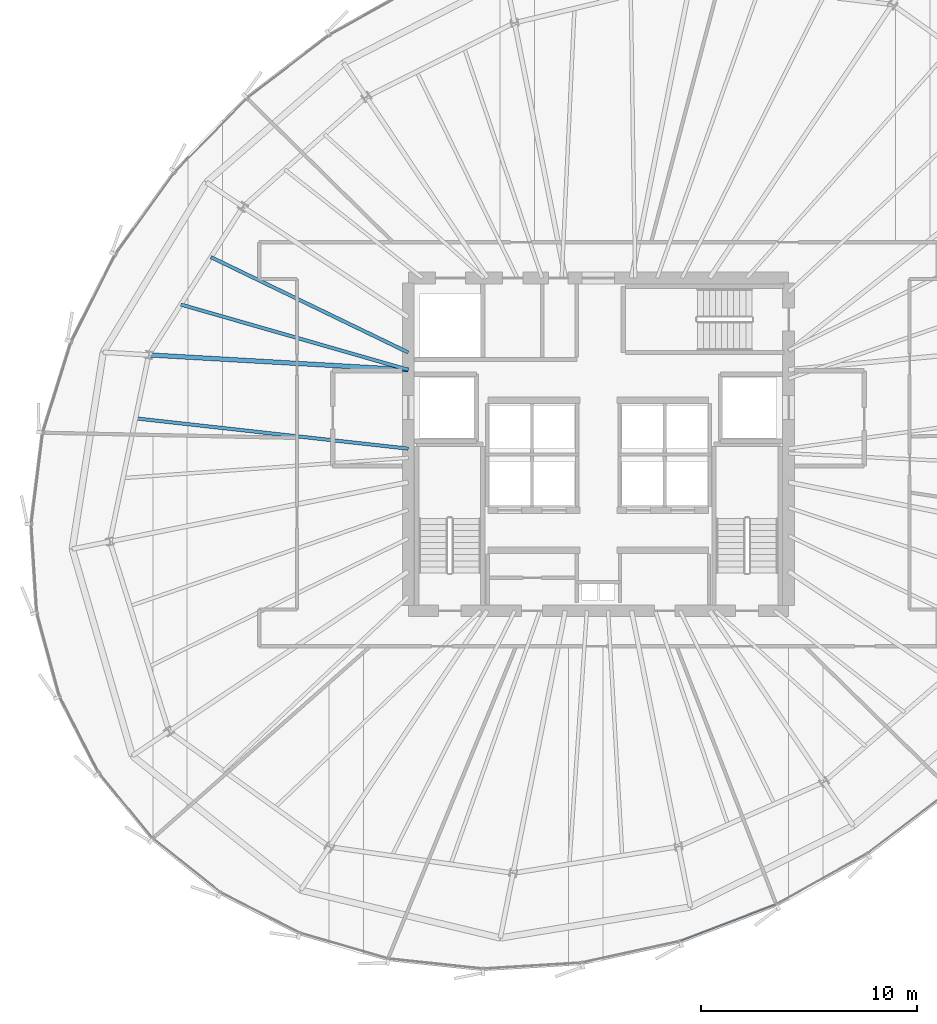
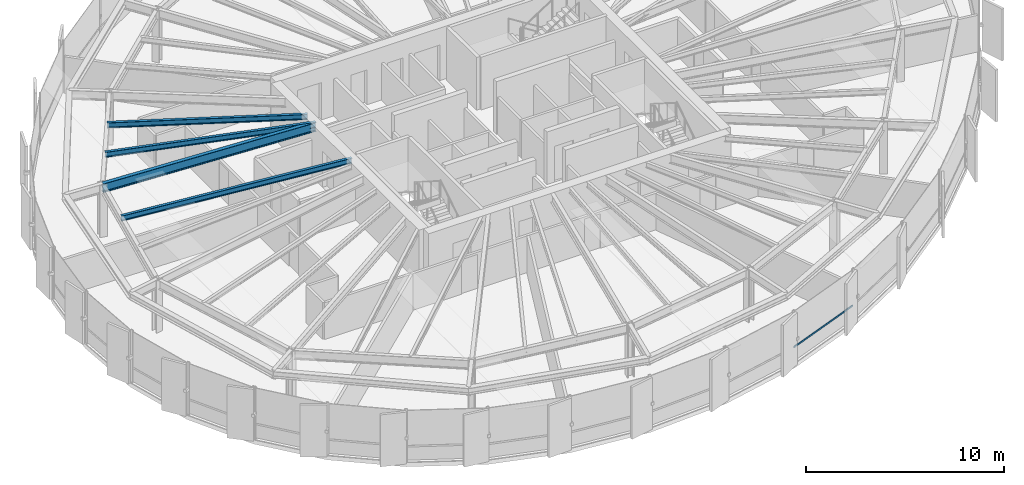
# One storey, part 12 of 35: 4 beams, 1 member, 1 element without a shape of its own.
"""IFC4 building model written with IfcOpenShell, lengths in metres."""

from ifc_helpers import new_model, si_unit, direction, frame, origin, origin_2d, place, context, subcontext, project, spatial, hollow_rectangle, i_section, extrude, source, transform, mapped, material, layer, layer_set, material_profile, profile_set, type_object, element, aggregate, save


model = new_model("IFC4")

# Units and contexts
model_context = context("Model", 3, precision=1e-05, world=origin(), true_north=direction((0.0, 1.0)))
body_context = subcontext(model_context, "Body", "Model", "MODEL_VIEW")
ifc_project = project(units=[si_unit("LENGTHUNIT", "METRE"), si_unit("AREAUNIT", "SQUARE_METRE"), si_unit("VOLUMEUNIT", "CUBIC_METRE"), si_unit("PLANEANGLEUNIT", "RADIAN"), si_unit("MASSUNIT", "GRAM", prefix="KILO"), si_unit("THERMODYNAMICTEMPERATUREUNIT", "KELVIN")], contexts=[model_context])

# Site, building, storey
site_placement = place(None, origin())
site = spatial("IfcSite", under=ifc_project, at=site_placement, CompositionType="ELEMENT")
building_placement = place(site_placement, origin())
building = spatial("IfcBuilding", under=site, at=building_placement, Name="Kethvar Cultural Tower", CompositionType="ELEMENT")
storey_placement = place(building_placement, frame((0.0, 0.0, 167.85009765625)))
storey = spatial("IfcBuildingStorey", under=building, at=storey_placement, Name="L43", CompositionType="ELEMENT", Elevation=167.85009765625)

# Beams
ifc_material_1 = material(Name="Steel S355J2", Category="steel")
ifc_material_profile_1 = material_profile(ifc_material_1, i_section(OverallWidth=0.2099609375, OverallDepth=0.550048828125, WebThickness=0.010986328125, FlangeThickness=0.01708984375, FilletRadius=0.02392578125, at=origin_2d()), Name="Steel S355J2 — IPE550")
ifc_profile_set_1 = profile_set([ifc_material_profile_1], Name="Steel S355J2 — IPE550")
beam_type_1 = type_object("IfcBeamType", Name="BM-IPE550", PredefinedType="BEAM", material=ifc_profile_set_1)
shared_shape_1 = source(origin(), body_context, "Body", "SweptSolid", [
    extrude(i_section(OverallWidth=0.2099609375, OverallDepth=0.550048828125, WebThickness=0.010986328125, FlangeThickness=0.01708984375, FilletRadius=0.02392578125, at=origin_2d()), origin(), (0.0, 0.0, 1.0), 12.03125),
])
beam_1_placement = place(storey_placement, frame((38.0, 31.25, 2.962890625), z_axis=(-0.998355544741, 0.057325441856, 0.0), x_axis=(-0.057325441856, -0.998355544741, 0.0)))
element("IfcBeam", 1, at=beam_1_placement, inside=storey, type_object=beam_type_1, Name="L43 Primary Radial Beam RB-08", PredefinedType="BEAM", context=body_context, shape_type="MappedRepresentation", body=[
    mapped(shared_shape_1, transform((0.0, 0.0, 0.0), scale=1.0)),
])
ifc_material_profile_2 = material_profile(ifc_material_1, i_section(OverallWidth=0.159912109375, OverallDepth=0.330078125, WebThickness=0.007568359375, FlangeThickness=0.011474609375, FilletRadius=0.01806640625, at=origin_2d()), Name="Steel S355J2 — IPE330")
ifc_profile_set_2 = profile_set([ifc_material_profile_2], Name="Steel S355J2 — IPE330")
beam_type_2 = type_object("IfcBeamType", Name="BM-J330", PredefinedType="JOIST", material=ifc_profile_set_2)
shared_shape_2 = source(origin(), body_context, "Body", "SweptSolid", [
    extrude(i_section(OverallWidth=0.159912109375, OverallDepth=0.330078125, WebThickness=0.007568359375, FlangeThickness=0.011474609375, FilletRadius=0.01806640625, at=origin_2d()), origin(), (0.0, 0.0, 1.0), 10.1455078125),
])
beam_2_placement = place(storey_placement, frame((38.0, 32.05078125, 3.072998046875), z_axis=(-0.90045122575, 0.434956997927, 0.0), x_axis=(-0.434956997927, -0.90045122575, 0.0)))
element("IfcBeam", 2, at=beam_2_placement, inside=storey, type_object=beam_type_2, Name="L43 Composite Floor Joist J-07A", PredefinedType="JOIST", context=body_context, shape_type="MappedRepresentation", body=[
    mapped(shared_shape_2, transform((0.0, 0.0, 0.0), scale=1.0)),
])
shared_shape_3 = source(origin(), body_context, "Body", "SweptSolid", [
    extrude(i_section(OverallWidth=0.159912109375, OverallDepth=0.330078125, WebThickness=0.007568359375, FlangeThickness=0.011474609375, FilletRadius=0.01806640625, at=origin_2d()), origin(), (0.0, 0.0, 1.0), 10.95458984375),
])
beam_3_placement = place(storey_placement, frame((38.0, 31.25, 3.072998046875), z_axis=(-0.96124170623, 0.275707058676, 0.0), x_axis=(-0.275707058676, -0.96124170623, 0.0)))
element("IfcBeam", 3, at=beam_3_placement, inside=storey, type_object=beam_type_2, Name="L43 Composite Floor Joist J-07B", PredefinedType="JOIST", context=body_context, shape_type="MappedRepresentation", body=[
    mapped(shared_shape_3, transform((0.0, 0.0, 0.0), scale=1.0)),
])
shared_shape_4 = source(origin(), body_context, "Body", "SweptSolid", [
    extrude(i_section(OverallWidth=0.159912109375, OverallDepth=0.330078125, WebThickness=0.007568359375, FlangeThickness=0.011474609375, FilletRadius=0.01806640625, at=origin_2d()), origin(), (0.0, 0.0, 1.0), 12.7021484375),
])
beam_4_placement = place(storey_placement, frame((38.0, 27.60009765625, 3.072998046875), z_axis=(-0.993884906591, 0.110420978309, 0.0), x_axis=(-0.110420978309, -0.993884906591, 0.0)))
element("IfcBeam", 4, at=beam_4_placement, inside=storey, type_object=beam_type_2, Name="L43 Composite Floor Joist J-08A", PredefinedType="JOIST", context=body_context, shape_type="MappedRepresentation", body=[
    mapped(shared_shape_4, transform((0.0, 0.0, 0.0), scale=1.0)),
])

# Curtain wall, member
ifc_material_2 = material(Name="Aluminium 6063-T6", Category="aluminium")
ifc_layer = layer(ifc_material_2, 0.179931640625, Name="Aluminium 6063-T6", Category="aluminium")
ifc_layer_set = layer_set([ifc_layer], Name="Aluminium 6063-T6 (180 mm)")
curtain_wall_type = type_object("IfcCurtainWallType", Name="CW-SYS-04-Z34", PredefinedType="NOTDEFINED", material=ifc_layer_set)
curtain_wall_placement = place(storey_placement, origin())
curtain_wall = element("IfcCurtainWall", 5, at=curtain_wall_placement, inside=storey, type_object=curtain_wall_type, Name="L43 Curtain Wall Run 05", PredefinedType="NOTDEFINED")
ifc_material_profile_3 = material_profile(ifc_material_2, hollow_rectangle(XDim=0.050048828125, YDim=0.10009765625, WallThickness=0.00390625, at=origin_2d()), Name="Aluminium 6063-T6 — RHS100x50x4")
ifc_profile_set_3 = profile_set([ifc_material_profile_3], Name="Aluminium 6063-T6 — RHS100x50x4")
member_type = type_object("IfcMemberType", Name="CW-SYS-04-Z34-TRN", PredefinedType="USERDEFINED", material=ifc_profile_set_3)
shared_shape_5 = source(origin(), body_context, "Body", "SweptSolid", [
    extrude(hollow_rectangle(XDim=0.050048828125, YDim=0.10009765625, WallThickness=0.00390625, at=origin_2d()), origin(), (0.0, 0.0, 1.0), 4.701171875),
])
member_placement = place(storey_placement, frame((50.60791015625, 4.8212890625, 0.949951171875), z_axis=(0.934151664426, 0.356876264061, 0.0), x_axis=(-0.356876264061, 0.934151664426, 0.0)))
member = element("IfcMember", 6, at=member_placement, type_object=member_type, Name="CW-L43-R05 Transom 2", ObjectType="TRANSOM", PredefinedType="USERDEFINED", context=body_context, shape_type="MappedRepresentation", body=[
    mapped(shared_shape_5, transform((0.0, 0.0, 0.0), scale=1.0)),
])
aggregate(curtain_wall, [member])

save(model, "model.ifc")
